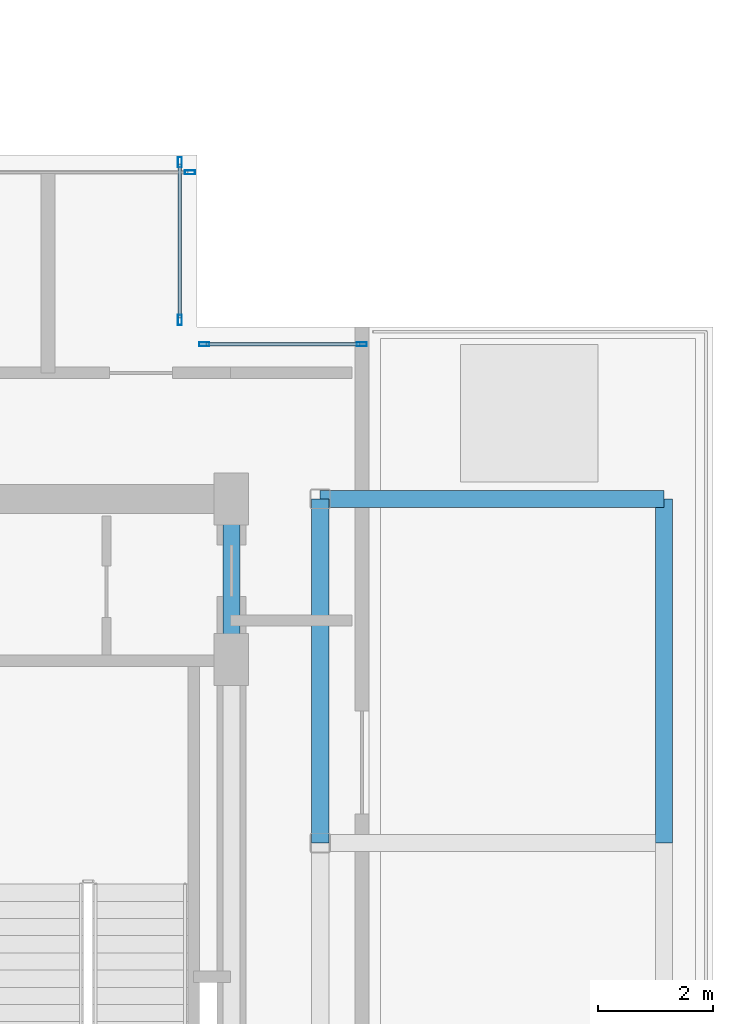
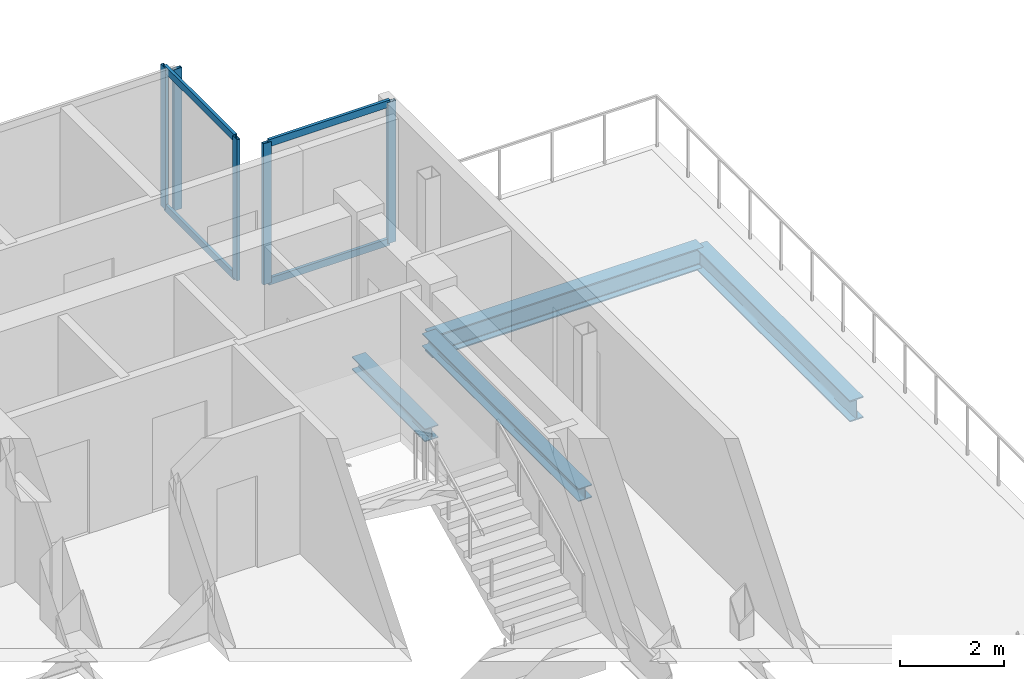
# One storey, part 12 of 19: 9 members, 4 beams, 3 elements without a shape of their own.
"""IFC4 building model written with IfcOpenShell, lengths in metres."""

from ifc_helpers import new_model, si_unit, direction, frame, origin, origin_2d, place, context, subcontext, project, spatial, hollow_rectangle, i_section, extrude, material, layer, layer_set, material_profile, profile_set, type_object, element, aggregate, save


model = new_model("IFC4")

# Units and contexts
model_context = context("Model", 3, precision=1e-05, world=origin(), true_north=direction((0.0, 1.0)))
body_context = subcontext(model_context, "Body", "Model", "MODEL_VIEW")
ifc_project = project(units=[si_unit("LENGTHUNIT", "METRE"), si_unit("AREAUNIT", "SQUARE_METRE"), si_unit("VOLUMEUNIT", "CUBIC_METRE"), si_unit("PLANEANGLEUNIT", "RADIAN"), si_unit("MASSUNIT", "GRAM", prefix="KILO"), si_unit("THERMODYNAMICTEMPERATUREUNIT", "KELVIN"), si_unit("POWERUNIT", "WATT")], contexts=[model_context])

# Site, building, storey
site_placement = place(None, origin())
site = spatial("IfcSite", under=ifc_project, at=site_placement, CompositionType="ELEMENT")
building_placement = place(site_placement, origin())
building = spatial("IfcBuilding", under=site, at=building_placement, Name="Svarakhadi Broadcast Tower", CompositionType="ELEMENT")
storey_placement = place(building_placement, frame((0.0, 0.0, 239.699951171875)))
storey = spatial("IfcBuildingStorey", under=building, at=storey_placement, Name="L59", CompositionType="ELEMENT", Elevation=239.699951171875)

# Curtain wall, member
ifc_material_1 = material(Name="Anodised Bronze Aluminium AA 6063-T6", Category="aluminium")
ifc_layer = layer(ifc_material_1, 0.179931640625)
ifc_layer_set = layer_set([ifc_layer], Name="Anodised Bronze Aluminium AA 6063-T6")
curtain_wall_type = type_object("IfcCurtainWallType", Name="CW_Sys_05", PredefinedType="NOTDEFINED", material=ifc_layer_set)
curtain_wall_1_placement = place(storey_placement, origin())
curtain_wall_1 = element("IfcCurtainWall", 1, at=curtain_wall_1_placement, inside=storey, type_object=curtain_wall_type, Name="L59 Unitised Facade Curtain Wall 09", PredefinedType="NOTDEFINED")
ifc_material_profile_1 = material_profile(ifc_material_1, hollow_rectangle(XDim=0.070068359375, YDim=0.179931640625, WallThickness=0.005615234375, at=origin_2d()), Name="ALU MULLION 180x70x6")
ifc_profile_set_1 = profile_set([ifc_material_profile_1], Name="Anodised Bronze Aluminium AA 6063-T6")
member_type_1 = type_object("IfcMemberType", Name="CW_Sys_05_Mul", PredefinedType="MULLION", material=ifc_profile_set_1)
member_1_placement = place(storey_placement, frame((32.875, 23.699951171875, 0.0), z_axis=(0.0, 0.0, 1.0), x_axis=(0.0, 1.0, 0.0)))
member_1 = element("IfcMember", 2, at=member_1_placement, type_object=member_type_1, Name="CW-05 mullion 2", PredefinedType="MULLION", context=body_context, shape_type="SweptSolid", body=[
    extrude(hollow_rectangle(XDim=0.070068359375, YDim=0.179931640625, WallThickness=0.005615234375, at=origin_2d()), origin(), (0.0, 0.0, 1.0), 3.300048828125),
])
aggregate(curtain_wall_1, [member_1])

# Curtain wall, members
curtain_wall_2_placement = place(storey_placement, origin())
curtain_wall_2 = element("IfcCurtainWall", 3, at=curtain_wall_2_placement, inside=storey, type_object=curtain_wall_type, Name="L59 Unitised Facade Curtain Wall 10", PredefinedType="NOTDEFINED")
member_2_placement = place(storey_placement, frame((32.699951171875, 23.875, 0.0), z_axis=(0.0, 0.0, 1.0), x_axis=(1.0, 0.0, 0.0)))
member_2 = element("IfcMember", 4, at=member_2_placement, type_object=member_type_1, Name="CW-05 mullion 1", PredefinedType="MULLION", context=body_context, shape_type="SweptSolid", body=[
    extrude(hollow_rectangle(XDim=0.070068359375, YDim=0.179931640625, WallThickness=0.005615234375, at=origin_2d()), origin(), (0.0, 0.0, 1.0), 3.300048828125),
])
member_3_placement = place(storey_placement, frame((32.699951171875, 21.125, 0.0), z_axis=(0.0, 0.0, 1.0), x_axis=(1.0, 0.0, 0.0)))
member_3 = element("IfcMember", 5, at=member_3_placement, type_object=member_type_1, Name="CW-05 mullion 2", PredefinedType="MULLION", context=body_context, shape_type="SweptSolid", body=[
    extrude(hollow_rectangle(XDim=0.070068359375, YDim=0.179931640625, WallThickness=0.005615234375, at=origin_2d()), origin(), (0.0, 0.0, 1.0), 3.300048828125),
])

curtain_wall_3_placement = place(storey_placement, origin())
curtain_wall_3 = element("IfcCurtainWall", 6, at=curtain_wall_3_placement, inside=storey, type_object=curtain_wall_type, Name="L59 Unitised Facade Curtain Wall 11", PredefinedType="NOTDEFINED")
member_4_placement = place(storey_placement, frame((33.125, 20.699951171875, 0.0), z_axis=(0.0, 0.0, 1.0), x_axis=(0.0, 1.0, 0.0)))
member_4 = element("IfcMember", 7, at=member_4_placement, type_object=member_type_1, Name="CW-05 mullion 1", PredefinedType="MULLION", context=body_context, shape_type="SweptSolid", body=[
    extrude(hollow_rectangle(XDim=0.070068359375, YDim=0.179931640625, WallThickness=0.005615234375, at=origin_2d()), origin(), (0.0, 0.0, 1.0), 3.300048828125),
])
member_5_placement = place(storey_placement, frame((35.875, 20.699951171875, 0.0), z_axis=(0.0, 0.0, 1.0), x_axis=(0.0, 1.0, 0.0)))
member_5 = element("IfcMember", 8, at=member_5_placement, type_object=member_type_1, Name="CW-05 mullion 2", PredefinedType="MULLION", context=body_context, shape_type="SweptSolid", body=[
    extrude(hollow_rectangle(XDim=0.070068359375, YDim=0.179931640625, WallThickness=0.005615234375, at=origin_2d()), origin(), (0.0, 0.0, 1.0), 3.300048828125),
])

# Member
ifc_material_profile_2 = material_profile(ifc_material_1, hollow_rectangle(XDim=0.06494140625, YDim=0.1650390625, WallThickness=0.0048828125, at=origin_2d()), Name="ALU TRANSOM 165x65x5")
ifc_profile_set_2 = profile_set([ifc_material_profile_2], Name="Anodised Bronze Aluminium AA 6063-T6")
member_type_2 = type_object("IfcMemberType", Name="CW_Sys_05_Trn", PredefinedType="USERDEFINED", material=ifc_profile_set_2)
member_6_placement = place(storey_placement, frame((32.699951171875, 23.840087890625, 0.032470703125), z_axis=(0.0, -1.0, 0.0), x_axis=(1.0, 0.0, 0.0)))
member_6 = element("IfcMember", 9, at=member_6_placement, type_object=member_type_2, Name="CW-05 transom 1.1", ObjectType="TRANSOM", PredefinedType="USERDEFINED", context=body_context, shape_type="SweptSolid", body=[
    extrude(hollow_rectangle(XDim=0.06494140625, YDim=0.1650390625, WallThickness=0.0048828125, at=origin_2d()), origin(), (0.0, 0.0, 1.0), 2.68017578125),
])

member_7_placement = place(storey_placement, frame((32.699951171875, 23.840087890625, 3.267578125), z_axis=(0.0, -1.0, 0.0), x_axis=(1.0, 0.0, 0.0)))
member_7 = element("IfcMember", 10, at=member_7_placement, type_object=member_type_2, Name="CW-05 transom 1.2", ObjectType="TRANSOM", PredefinedType="USERDEFINED", context=body_context, shape_type="SweptSolid", body=[
    extrude(hollow_rectangle(XDim=0.06494140625, YDim=0.1650390625, WallThickness=0.0048828125, at=origin_2d()), origin(), (0.0, 0.0, 1.0), 2.68017578125),
])

aggregate(curtain_wall_2, [member_2, member_3, member_6, member_7])

member_8_placement = place(storey_placement, frame((33.159912109375, 20.699951171875, 0.032470703125), z_axis=(1.0, 0.0, 0.0), x_axis=(0.0, 1.0, 0.0)))
member_8 = element("IfcMember", 11, at=member_8_placement, type_object=member_type_2, Name="CW-05 transom 1.1", ObjectType="TRANSOM", PredefinedType="USERDEFINED", context=body_context, shape_type="SweptSolid", body=[
    extrude(hollow_rectangle(XDim=0.06494140625, YDim=0.1650390625, WallThickness=0.0048828125, at=origin_2d()), origin(), (0.0, 0.0, 1.0), 2.68017578125),
])

member_9_placement = place(storey_placement, frame((33.159912109375, 20.699951171875, 3.267578125), z_axis=(1.0, 0.0, 0.0), x_axis=(0.0, 1.0, 0.0)))
member_9 = element("IfcMember", 12, at=member_9_placement, type_object=member_type_2, Name="CW-05 transom 1.2", ObjectType="TRANSOM", PredefinedType="USERDEFINED", context=body_context, shape_type="SweptSolid", body=[
    extrude(hollow_rectangle(XDim=0.06494140625, YDim=0.1650390625, WallThickness=0.0048828125, at=origin_2d()), origin(), (0.0, 0.0, 1.0), 2.68017578125),
])

aggregate(curtain_wall_3, [member_4, member_5, member_8, member_9])

# Beams
ifc_material_2 = material(Name="Steel S355J2 (IS 2062 E350C)", Category="steel")
ifc_material_profile_3 = material_profile(ifc_material_2, i_section(OverallWidth=0.300048828125, OverallDepth=0.300048828125, WebThickness=0.010986328125, FlangeThickness=0.01904296875, FilletRadius=0.027099609375, at=origin_2d()), Name="WPB 300x300x117")
ifc_profile_set_3 = profile_set([ifc_material_profile_3], Name="Steel S355J2 (IS 2062 E350C)")
beam_type_1 = type_object("IfcBeamType", Name="Girder_WPB300", PredefinedType="USERDEFINED", material=ifc_profile_set_3)
beam_1_placement = place(storey_placement, frame((33.60009765625, 15.199951171875, -0.349853515625), z_axis=(0.0, 1.0, 0.0), x_axis=(-1.0, 0.0, 0.0)))
element("IfcBeam", 13, at=beam_1_placement, inside=storey, type_object=beam_type_1, Name="L59 Primary N-S Girder G047", ObjectType="GIRDER", PredefinedType="USERDEFINED", context=body_context, shape_type="SweptSolid", body=[
    extrude(i_section(OverallWidth=0.300048828125, OverallDepth=0.300048828125, WebThickness=0.010986328125, FlangeThickness=0.01904296875, FilletRadius=0.027099609375, at=origin_2d()), origin(), (0.0, 0.0, 1.0), 2.800048828125),
])
beam_2_placement = place(storey_placement, frame((35.14990234375, 12.0, -0.349853515625), z_axis=(0.0, 1.0, 0.0), x_axis=(-1.0, 0.0, 0.0)))
element("IfcBeam", 14, at=beam_2_placement, inside=storey, type_object=beam_type_1, Name="L59 Primary N-S Girder G050", ObjectType="GIRDER", PredefinedType="USERDEFINED", context=body_context, shape_type="SweptSolid", body=[
    extrude(i_section(OverallWidth=0.300048828125, OverallDepth=0.300048828125, WebThickness=0.010986328125, FlangeThickness=0.01904296875, FilletRadius=0.027099609375, at=origin_2d()), origin(), (0.0, 0.0, 1.0), 6.0),
])
ifc_material_profile_4 = material_profile(ifc_material_2, i_section(OverallWidth=0.300048828125, OverallDepth=0.5, WebThickness=0.014404296875, FlangeThickness=0.028076171875, FilletRadius=0.027099609375, at=origin_2d()), Name="WPB 500x300x187")
ifc_profile_set_4 = profile_set([ifc_material_profile_4], Name="Steel S355J2 (IS 2062 E350C)")
beam_type_2 = type_object("IfcBeamType", Name="Girder_WPB500", PredefinedType="USERDEFINED", material=ifc_profile_set_4)
for number, where, z_axis, x_axis, name in (
    (15, (35.14990234375, 18.0, -0.489990234375), (1.0, 0.0, 0.0), (0.0, 1.0, 0.0), "L59 East Setback Terrace Bearer Girder"),
    (16, (41.14990234375, 12.0, -0.489990234375), (0.0, 1.0, 0.0), (-1.0, 0.0, 0.0), "L59 East Setback Terrace Rim Girder 2"),
):
    element("IfcBeam", number, at=place(storey_placement, frame(where, z_axis=z_axis, x_axis=x_axis)), inside=storey, type_object=beam_type_2, Name=name, ObjectType="GIRDER", PredefinedType="USERDEFINED", context=body_context, shape_type="SweptSolid", body=[
        extrude(i_section(OverallWidth=0.300048828125, OverallDepth=0.5, WebThickness=0.014404296875, FlangeThickness=0.028076171875, FilletRadius=0.027099609375, at=origin_2d()), origin(), (0.0, 0.0, 1.0), 6.0),
    ])

save(model, "model.ifc")
